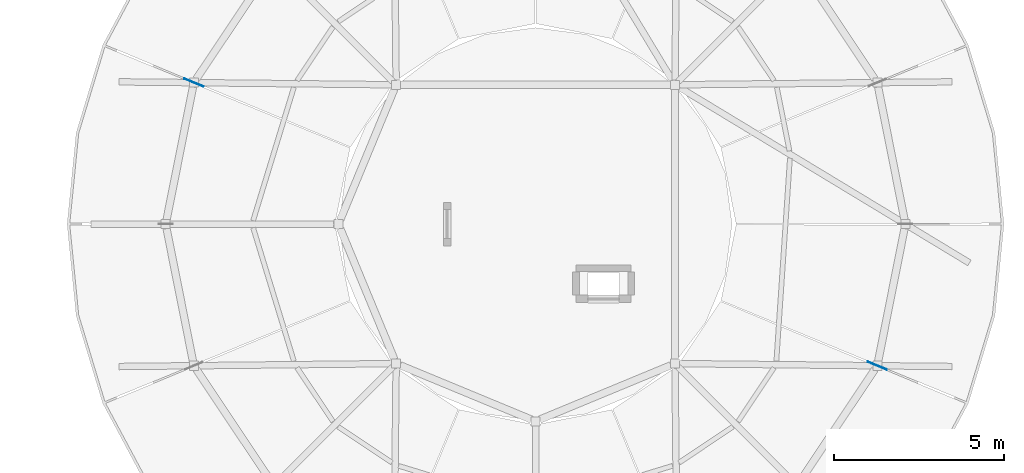
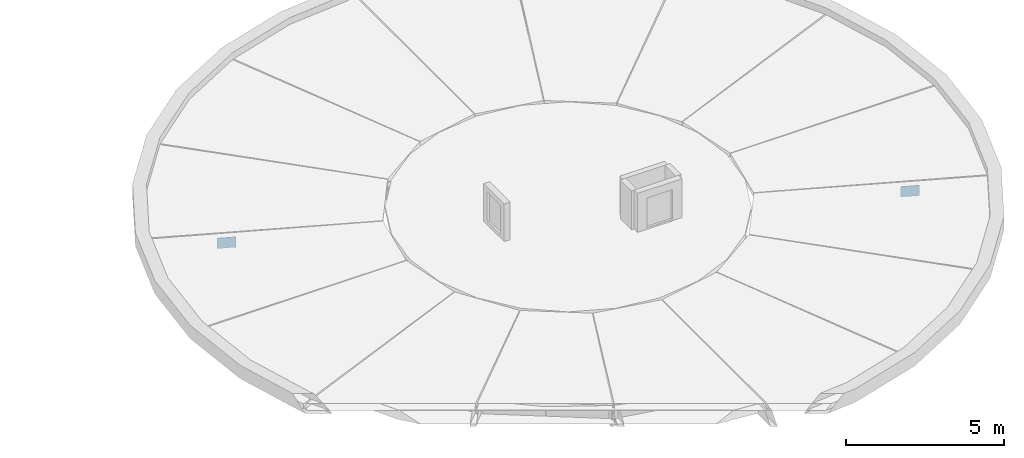
# One storey, part 15 of 37: 2 plates.
"""IFC4 building model written with IfcOpenShell, lengths in metres."""

from ifc_helpers import new_model, si_unit, direction, frame, origin, origin_2d, place, context, subcontext, project, spatial, rectangle, extrude, material, layer, layer_set, type_object, element, save


model = new_model("IFC4")

# Units and contexts
model_context = context("Model", 3, precision=1e-05, world=origin(), true_north=direction((0.0, 1.0)))
body_context = subcontext(model_context, "Body", "Model", "MODEL_VIEW")
ifc_project = project(units=[si_unit("LENGTHUNIT", "METRE"), si_unit("AREAUNIT", "SQUARE_METRE"), si_unit("VOLUMEUNIT", "CUBIC_METRE"), si_unit("PLANEANGLEUNIT", "RADIAN"), si_unit("MASSUNIT", "GRAM", prefix="KILO")], contexts=[model_context])

# Site, building, storey
site_placement = place(None, origin())
site = spatial("IfcSite", under=ifc_project, at=site_placement, CompositionType="ELEMENT")
building_placement = place(site_placement, origin())
building = spatial("IfcBuilding", under=site, at=building_placement, Name="Aldenvaro Health Centre", CompositionType="ELEMENT")
storey_placement = place(building_placement, frame((0.0, 0.0, 12.949951171875)))
storey = spatial("IfcBuildingStorey", under=building, at=storey_placement, Name="L03", CompositionType="ELEMENT", Elevation=12.949951171875)

# Plates
ifc_material = material(Name="Steel ASTM A572 Grade 50", Category="steel")
ifc_layer = layer(ifc_material, 0.02099609375, Name="Steel ASTM A572 Grade 50", Category="steel")
ifc_layer_set = layer_set([ifc_layer], Name="Steel ASTM A572 Grade 50")
plate_type = type_object("IfcPlateType", Name="PLT-GUS-10", PredefinedType="SHEET", material=ifc_layer_set)
for number, where, z_axis, x_axis, name in (
    (1, (144.447998046875, 22.6640625, 0.211181640625), (0.0, 0.0, 1.0), (-0.923868962566, 0.382708949475, 0.0), "D6 Rafter Eave Gusset 08"),
    (2, (164.552001953125, 14.3359375, 0.211181640625), (0.0, 0.0, 1.0), (0.923868962566, -0.382708949475, 0.0), "D6 Rafter Eave Gusset 16"),
):
    element("IfcPlate", number, at=place(storey_placement, frame(where, z_axis=z_axis, x_axis=x_axis)), inside=storey, type_object=plate_type, Name=name, PredefinedType="SHEET", context=body_context, shape_type="SweptSolid", body=[
        extrude(rectangle(XDim=0.610107421875, YDim=0.02099609375, at=origin_2d()), origin(), (0.0, 0.0, 1.0), 0.39990234375),
    ])

save(model, "model.ifc")
